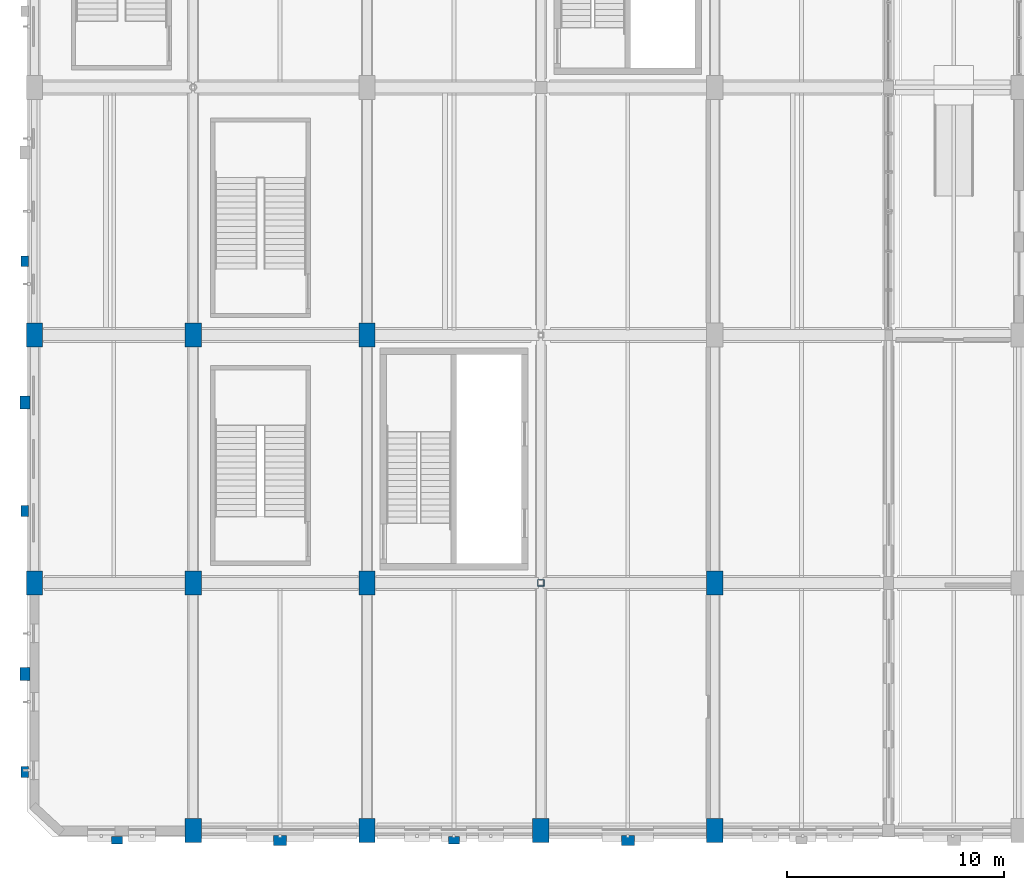
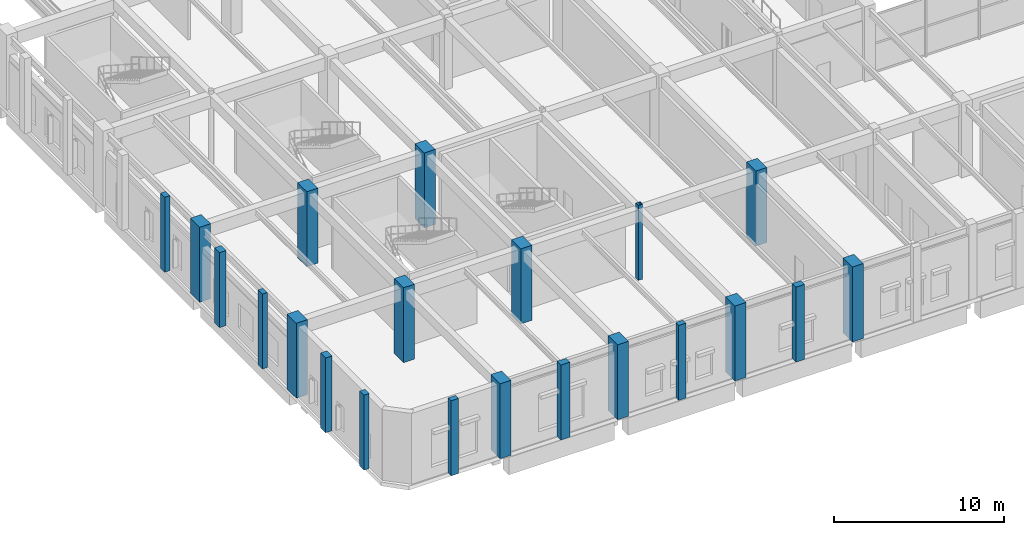
# One storey, part 1 of 113: 21 columns.
"""IFC4 building model written with IfcOpenShell, lengths in metres."""

from ifc_helpers import new_model, si_unit, direction, frame, origin, origin_2d, place, context, subcontext, project, spatial, rectangle, hollow_rectangle, extrude, material, material_profile, profile_set, type_object, element, save


model = new_model("IFC4")

# Units and contexts
model_context = context("Model", 3, precision=1e-05, world=origin(), true_north=direction((0.0, 1.0)))
body_context = subcontext(model_context, "Body", "Model", "MODEL_VIEW")
ifc_project = project(units=[si_unit("LENGTHUNIT", "METRE"), si_unit("AREAUNIT", "SQUARE_METRE"), si_unit("VOLUMEUNIT", "CUBIC_METRE"), si_unit("PLANEANGLEUNIT", "RADIAN"), si_unit("MASSUNIT", "GRAM", prefix="KILO"), si_unit("POWERUNIT", "WATT"), si_unit("THERMODYNAMICTEMPERATUREUNIT", "KELVIN")], contexts=[model_context])

# Site, building, storey
site_placement = place(None, origin())
site = spatial("IfcSite", under=ifc_project, at=site_placement, CompositionType="ELEMENT")
building_placement = place(site_placement, origin())
building = spatial("IfcBuilding", under=site, at=building_placement, Name="Kelmbourne Parkland Aquatics Centre", CompositionType="ELEMENT")
storey_placement = place(building_placement, origin())
storey = spatial("IfcBuildingStorey", under=building, at=storey_placement, Name="L00", CompositionType="ELEMENT", Elevation=0.0)

# Columns
ifc_material_1 = material(Name="Concrete C40/50", Category="concrete")
ifc_material_profile_1 = material_profile(ifc_material_1, rectangle(XDim=0.75, YDim=1.10009765625, at=origin_2d()), Name="RC 750x1100")
ifc_profile_set_1 = profile_set([ifc_material_profile_1], Name="Concrete C40/50")
column_type_1 = type_object("IfcColumnType", Name="COL-C03", PredefinedType="COLUMN", material=ifc_profile_set_1)
for number, where, z_axis, x_axis, name in (
    (1, (0.699951171875, 12.199951171875, 0.0), (0.0, 0.0, 1.0), (1.0, 0.0, 0.0), "Structural column A-03 (L00)"),
    (2, (0.699951171875, 23.60009765625, 0.0), (0.0, 0.0, 1.0), (1.0, 0.0, 0.0), "Structural column A-04 (L00)"),
    (3, (8.0, 0.800048828125, 0.0), (0.0, 0.0, 1.0), (1.0, 0.0, 0.0), "Structural column B-01 (L00)"),
    (4, (8.0, 12.199951171875, 0.0), (0.0, 0.0, 1.0), (1.0, 0.0, 0.0), "Structural column B-03 (L00)"),
    (5, (8.0, 23.60009765625, 0.0), (0.0, 0.0, 1.0), (1.0, 0.0, 0.0), "Structural column B-04 (L00)"),
    (6, (16.0, 0.800048828125, 0.0), (0.0, 0.0, 1.0), (1.0, 0.0, 0.0), "Structural column C-01 (L00)"),
    (7, (16.0, 12.199951171875, 0.0), (0.0, 0.0, 1.0), (1.0, 0.0, 0.0), "Structural column C-03 (L00)"),
    (8, (16.0, 23.60009765625, 0.0), (0.0, 0.0, 1.0), (1.0, 0.0, 0.0), "Structural column C-04 (L00)"),
    (9, (24.0, 0.800048828125, 0.0), (0.0, 0.0, 1.0), (1.0, 0.0, 0.0), "Structural column D-01 (L00)"),
    (10, (32.0, 0.800048828125, 0.0), (0.0, 0.0, 1.0), (1.0, 0.0, 0.0), "Structural column E-01 (L00)"),
    (11, (32.0, 12.199951171875, 0.0), (0.0, 0.0, 1.0), (1.0, 0.0, 0.0), "Structural column E-03 (L00)"),
):
    element("IfcColumn", number, at=place(storey_placement, frame(where, z_axis=z_axis, x_axis=x_axis)), inside=storey, type_object=column_type_1, Name=name, PredefinedType="COLUMN", context=body_context, shape_type="SweptSolid", body=[
        extrude(rectangle(XDim=0.75, YDim=1.10009765625, at=origin_2d()), origin(), (0.0, 0.0, 1.0), 5.39990234375),
    ])
ifc_material_2 = material(Name="Cold-formed hollow steel AS/NZS 1163 C350L0", Category="steel")
ifc_material_profile_2 = material_profile(ifc_material_2, hollow_rectangle(XDim=0.300048828125, YDim=0.300048828125, WallThickness=0.012451171875, at=origin_2d()), Name="SHS 300x300x12.5")
ifc_profile_set_2 = profile_set([ifc_material_profile_2], Name="Cold-formed hollow steel AS/NZS 1163 C350L0")
column_type_2 = type_object("IfcColumnType", Name="COL-C22", PredefinedType="COLUMN", material=ifc_profile_set_2)
column_placement = place(storey_placement, frame((24.0, 12.199951171875, 0.0), z_axis=(0.0, 0.0, 1.0), x_axis=(1.0, 0.0, 0.0)))
element("IfcColumn", 12, at=column_placement, inside=storey, type_object=column_type_2, Name="Structural column D-03 (L00)", PredefinedType="COLUMN", context=body_context, shape_type="SweptSolid", body=[
    extrude(hollow_rectangle(XDim=0.300048828125, YDim=0.300048828125, WallThickness=0.012451171875, at=origin_2d()), origin(), (0.0, 0.0, 1.0), 5.39990234375),
])
ifc_material_3 = material(Name="Clay brick masonry AS 3700 M12", Category="masonry")
ifc_material_profile_3 = material_profile(ifc_material_3, rectangle(XDim=0.35009765625, YDim=0.5, at=origin_2d()), Name="PIL 350x500")
ifc_profile_set_3 = profile_set([ifc_material_profile_3], Name="Clay brick masonry AS 3700 M12")
column_type_3 = type_object("IfcColumnType", Name="PIL-PL1", PredefinedType="PILASTER", material=ifc_profile_set_3)
for number, where, z_axis, x_axis, name in (
    (13, (0.260009765625, 3.5, 0.0), (0.0, 0.0, 1.0), (1.0, 0.0, 0.0), "Amsterdam School engaged brick buttress W-001 (L00)"),
    (14, (0.260009765625, 15.5, 0.0), (0.0, 0.0, 1.0), (1.0, 0.0, 0.0), "Amsterdam School engaged brick buttress W-003 (L00)"),
    (15, (0.260009765625, 27.0, 0.0), (0.0, 0.0, 1.0), (1.0, 0.0, 0.0), "Amsterdam School engaged brick buttress W-005 (L00)"),
    (16, (4.5, 0.35009765625, 0.0), (0.0, 0.0, 1.0), (0.0, 1.0, 0.0), "Amsterdam School engaged brick buttress S-019 (L00)"),
    (17, (20.0, 0.35009765625, 0.0), (0.0, 0.0, 1.0), (0.0, 1.0, 0.0), "Amsterdam School engaged brick buttress S-021 (L00)"),
):
    element("IfcColumn", number, at=place(storey_placement, frame(where, z_axis=z_axis, x_axis=x_axis)), inside=storey, type_object=column_type_3, Name=name, PredefinedType="PILASTER", context=body_context, shape_type="SweptSolid", body=[
        extrude(rectangle(XDim=0.35009765625, YDim=0.5, at=origin_2d()), origin(), (0.0, 0.0, 1.0), 5.39990234375),
    ])
ifc_material_profile_4 = material_profile(ifc_material_3, rectangle(XDim=0.449951171875, YDim=0.60009765625, at=origin_2d()), Name="PIL 450x600")
ifc_profile_set_4 = profile_set([ifc_material_profile_4], Name="Clay brick masonry AS 3700 M12")
column_type_4 = type_object("IfcColumnType", Name="PIL-PL2", PredefinedType="PILASTER", material=ifc_profile_set_4)
for number, where, z_axis, x_axis, name in (
    (18, (0.260009765625, 8.0, 0.0), (0.0, 0.0, 1.0), (1.0, 0.0, 0.0), "Amsterdam School engaged brick buttress W-002 (L00)"),
    (19, (0.260009765625, 20.5, 0.0), (0.0, 0.0, 1.0), (1.0, 0.0, 0.0), "Amsterdam School engaged brick buttress W-004 (L00)"),
    (20, (12.0, 0.35009765625, 0.0), (0.0, 0.0, 1.0), (0.0, 1.0, 0.0), "Amsterdam School engaged brick buttress S-020 (L00)"),
    (21, (28.0, 0.35009765625, 0.0), (0.0, 0.0, 1.0), (0.0, 1.0, 0.0), "Amsterdam School engaged brick buttress S-022 (L00)"),
):
    element("IfcColumn", number, at=place(storey_placement, frame(where, z_axis=z_axis, x_axis=x_axis)), inside=storey, type_object=column_type_4, Name=name, PredefinedType="PILASTER", context=body_context, shape_type="SweptSolid", body=[
        extrude(rectangle(XDim=0.449951171875, YDim=0.60009765625, at=origin_2d()), origin(), (0.0, 0.0, 1.0), 5.39990234375),
    ])

save(model, "model.ifc")
